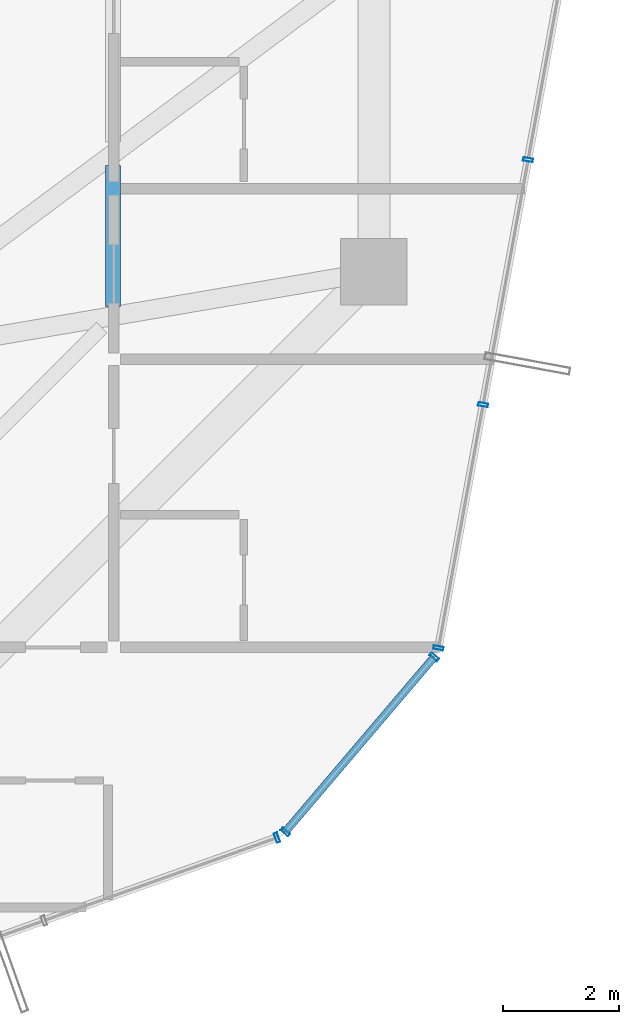
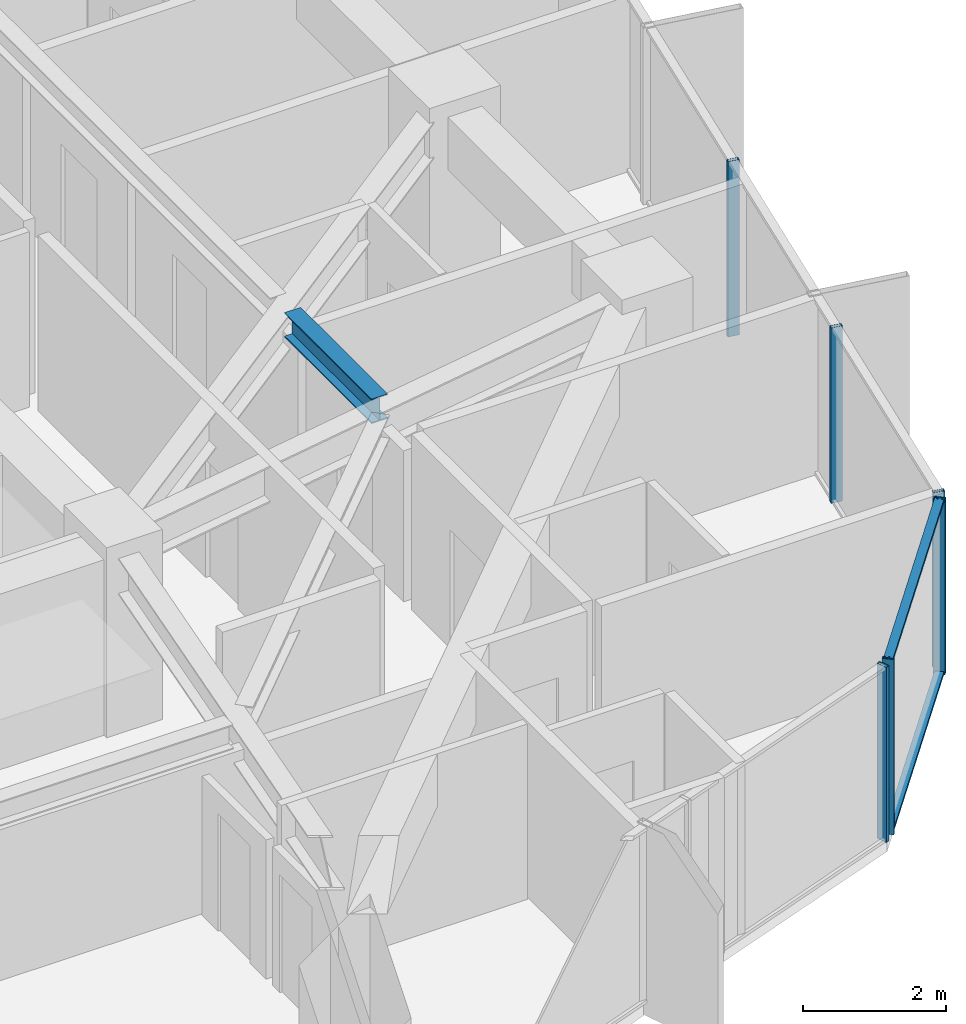
# One storey, part 17 of 33: 8 members, 1 beam, 3 elements without a shape of their own.
"""IFC4 building model written with IfcOpenShell, lengths in metres."""

from ifc_helpers import new_model, si_unit, direction, frame, origin, origin_2d, place, context, subcontext, project, spatial, hollow_rectangle, i_section, extrude, source, transform, mapped, material, layer, layer_set, material_profile, profile_set, type_object, element, aggregate, save


model = new_model("IFC4")

# Units and contexts
model_context = context("Model", 3, precision=1e-05, world=origin(), true_north=direction((0.0, 1.0)))
body_context = subcontext(model_context, "Body", "Model", "MODEL_VIEW")
ifc_project = project(units=[si_unit("LENGTHUNIT", "METRE"), si_unit("AREAUNIT", "SQUARE_METRE"), si_unit("VOLUMEUNIT", "CUBIC_METRE"), si_unit("PLANEANGLEUNIT", "RADIAN"), si_unit("MASSUNIT", "GRAM", prefix="KILO")], contexts=[model_context])

# Site, building, storey
site_placement = place(None, origin())
site = spatial("IfcSite", under=ifc_project, at=site_placement, CompositionType="ELEMENT")
building_placement = place(site_placement, origin())
building = spatial("IfcBuilding", under=site, at=building_placement, Name="Veraguas Prism Commons", CompositionType="ELEMENT")
storey_placement = place(building_placement, frame((0.0, 0.0, 92.699951171875)))
storey = spatial("IfcBuildingStorey", under=building, at=storey_placement, Name="L25", CompositionType="ELEMENT", Elevation=92.699951171875)

# Beam
ifc_material_1 = material(Name="Steel ASTM A992 Grade 50", Category="steel")
ifc_material_profile_1 = material_profile(ifc_material_1, i_section(OverallWidth=0.260986328125, OverallDepth=0.419921875, WebThickness=0.01171875, FlangeThickness=0.019287109375, at=origin_2d()), Name="W410X114")
ifc_profile_set_1 = profile_set([ifc_material_profile_1], Name="Steel ASTM A992 Grade 50")
beam_type = type_object("IfcBeamType", Name="Lower Floor Joist W410x114", PredefinedType="JOIST", material=ifc_profile_set_1)
beam_placement = place(storey_placement, frame((35.68798828125, 17.996337890625, 2.7900390625), z_axis=(0.0, 1.0, 0.0), x_axis=(-1.0, 0.0, 0.0)))
element("IfcBeam", 1, at=beam_placement, inside=storey, type_object=beam_type, Name="Composite Floor Joist L25-JS01", PredefinedType="JOIST", context=body_context, shape_type="SweptSolid", body=[
    extrude(i_section(OverallWidth=0.260986328125, OverallDepth=0.419921875, WebThickness=0.01171875, FlangeThickness=0.019287109375, at=origin_2d()), origin(), (0.0, 0.0, 1.0), 2.441650390625),
])

# Curtain wall, member
ifc_material_2 = material(Name="Anodised aluminium EN AW-6063 T6", Category="aluminium")
ifc_layer = layer(ifc_material_2, 0.169921875, Name="Unitised Flush Curtain Wall Zone 2", Category="aluminium")
ifc_layer_set = layer_set([ifc_layer], Name="Anodised aluminium EN AW-6063 T6")
curtain_wall_type = type_object("IfcCurtainWallType", Name="Unitised Flush Curtain Wall Zone 2", PredefinedType="NOTDEFINED", material=ifc_layer_set)
curtain_wall_1_placement = place(storey_placement, origin())
curtain_wall_1 = element("IfcCurtainWall", 2, at=curtain_wall_1_placement, inside=storey, type_object=curtain_wall_type, Name="Tower Facade Curtain Wall L25-F5", PredefinedType="NOTDEFINED")
ifc_material_profile_2 = material_profile(ifc_material_2, hollow_rectangle(XDim=0.06005859375, YDim=0.169921875, WallThickness=0.00390625, at=origin_2d()), Name="AL60X170X4")
ifc_profile_set_2 = profile_set([ifc_material_profile_2], Name="Anodised aluminium EN AW-6063 T6")
member_type_1 = type_object("IfcMemberType", Name="Curtain Wall Mullion Lower AL 60x170x4", PredefinedType="MULLION", material=ifc_profile_set_2)
shared_shape_1 = source(origin(), body_context, "Body", "SweptSolid", [
    extrude(hollow_rectangle(XDim=0.06005859375, YDim=0.169921875, WallThickness=0.00390625, at=origin_2d()), origin(), (0.0, 0.0, 1.0), 3.0),
])
member_1_placement = place(storey_placement, frame((38.5244140625, 8.8095703125, 0.0), z_axis=(0.0, 0.0, 1.0), x_axis=(0.942055696354, 0.335456502347, 0.0)))
member_1 = element("IfcMember", 3, at=member_1_placement, type_object=member_type_1, Name="CW-Z2 Mullion 5", PredefinedType="MULLION", context=body_context, shape_type="MappedRepresentation", body=[
    mapped(shared_shape_1, transform((0.0, 0.0, 0.0), scale=1.0)),
])
aggregate(curtain_wall_1, [member_1])

# Curtain wall, members
curtain_wall_2_placement = place(storey_placement, origin())
curtain_wall_2 = element("IfcCurtainWall", 4, at=curtain_wall_2_placement, inside=storey, type_object=curtain_wall_type, Name="Tower Facade Curtain Wall L25-F6", PredefinedType="NOTDEFINED")
member_2_placement = place(storey_placement, frame((41.317138671875, 12.091064453125, 0.0), z_axis=(0.0, 0.0, 1.0), x_axis=(0.180522578562, 0.983570840677, 0.0)))
member_2 = element("IfcMember", 5, at=member_2_placement, type_object=member_type_1, Name="CW-Z2 Mullion 1", PredefinedType="MULLION", context=body_context, shape_type="MappedRepresentation", body=[
    mapped(shared_shape_1, transform((0.0, 0.0, 0.0), scale=1.0)),
])
member_3_placement = place(storey_placement, frame((42.089599609375, 16.29931640625, 0.0), z_axis=(0.0, 0.0, 1.0), x_axis=(0.180522578562, 0.983570840677, 0.0)))
member_3 = element("IfcMember", 6, at=member_3_placement, type_object=member_type_1, Name="CW-Z2 Mullion 2", PredefinedType="MULLION", context=body_context, shape_type="MappedRepresentation", body=[
    mapped(shared_shape_1, transform((0.0, 0.0, 0.0), scale=1.0)),
])
member_4_placement = place(storey_placement, frame((42.8671875, 20.537109375, 0.0), z_axis=(0.0, 0.0, 1.0), x_axis=(0.180522578562, 0.983570840677, 0.0)))
member_4 = element("IfcMember", 7, at=member_4_placement, type_object=member_type_1, Name="CW-Z2 Mullion 3", PredefinedType="MULLION", context=body_context, shape_type="MappedRepresentation", body=[
    mapped(shared_shape_1, transform((0.0, 0.0, 0.0), scale=1.0)),
])
aggregate(curtain_wall_2, [member_2, member_3, member_4])

curtain_wall_3_placement = place(storey_placement, origin())
curtain_wall_3 = element("IfcCurtainWall", 8, at=curtain_wall_3_placement, inside=storey, type_object=curtain_wall_type, Name="Chamfer Curtain Wall L25-C6", PredefinedType="NOTDEFINED")
member_5_placement = place(storey_placement, frame((38.66748046875, 8.908447265625, 0.0), z_axis=(0.0, 0.0, 1.0), x_axis=(0.648110597069, 0.761546225758, 0.0)))
member_5 = element("IfcMember", 9, at=member_5_placement, type_object=member_type_1, Name="CW-Z2 Mullion 1", PredefinedType="MULLION", context=body_context, shape_type="MappedRepresentation", body=[
    mapped(shared_shape_1, transform((0.0, 0.0, 0.0), scale=1.0)),
])
member_6_placement = place(storey_placement, frame((41.24267578125, 11.93408203125, 0.0), z_axis=(0.0, 0.0, 1.0), x_axis=(0.648110597069, 0.761546225758, 0.0)))
member_6 = element("IfcMember", 10, at=member_6_placement, type_object=member_type_1, Name="CW-Z2 Mullion 2", PredefinedType="MULLION", context=body_context, shape_type="MappedRepresentation", body=[
    mapped(shared_shape_1, transform((0.0, 0.0, 0.0), scale=1.0)),
])
ifc_material_profile_3 = material_profile(ifc_material_2, hollow_rectangle(XDim=0.054931640625, YDim=0.135009765625, WallThickness=0.0029296875, at=origin_2d()), Name="AL55X135X3")
ifc_profile_set_3 = profile_set([ifc_material_profile_3], Name="Anodised aluminium EN AW-6063 T6")
member_type_2 = type_object("IfcMemberType", Name="Curtain Wall Transom Standard AL 55x135x3", PredefinedType="USERDEFINED", material=ifc_profile_set_3)
shared_shape_2 = source(origin(), body_context, "Body", "SweptSolid", [
    extrude(hollow_rectangle(XDim=0.054931640625, YDim=0.135009765625, WallThickness=0.0029296875, at=origin_2d()), origin(), (0.0, 0.0, 1.0), 3.97314453125),
])
member_7_placement = place(storey_placement, frame((38.66748046875, 8.908447265625, 0.027587890625), z_axis=(0.648145924675, 0.76151615894, 0.0), x_axis=(0.0, 0.0, 1.0)))
member_7 = element("IfcMember", 11, at=member_7_placement, type_object=member_type_2, Name="CW-Z2 Transom 1", ObjectType="TRANSOM", PredefinedType="USERDEFINED", context=body_context, shape_type="MappedRepresentation", body=[
    mapped(shared_shape_2, transform((0.0, 0.0, 0.0), scale=1.0)),
])
member_8_placement = place(storey_placement, frame((38.66748046875, 8.908447265625, 2.97265625), z_axis=(0.648145924675, 0.76151615894, 0.0), x_axis=(0.0, 0.0, 1.0)))
member_8 = element("IfcMember", 12, at=member_8_placement, type_object=member_type_2, Name="CW-Z2 Transom 2", ObjectType="TRANSOM", PredefinedType="USERDEFINED", context=body_context, shape_type="MappedRepresentation", body=[
    mapped(shared_shape_2, transform((0.0, 0.0, 0.0), scale=1.0)),
])
aggregate(curtain_wall_3, [member_5, member_6, member_7, member_8])

save(model, "model.ifc")
